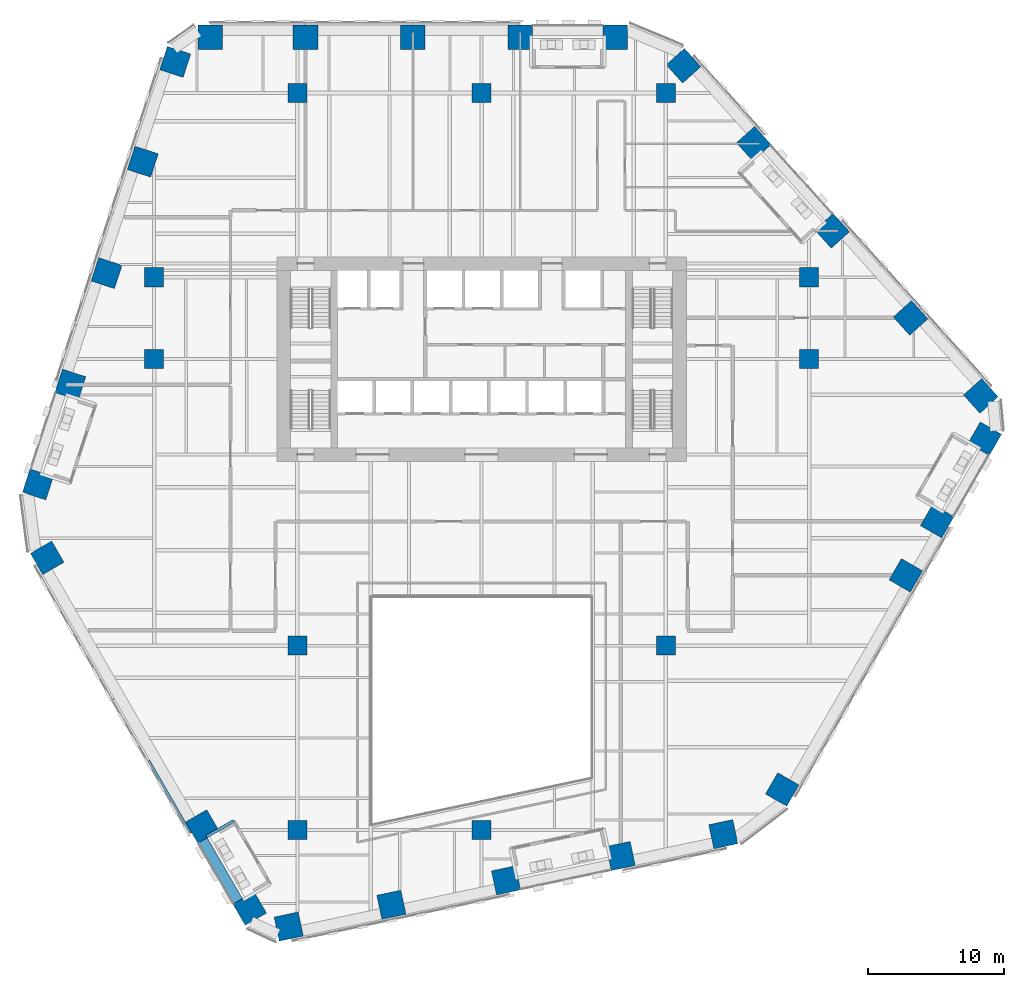
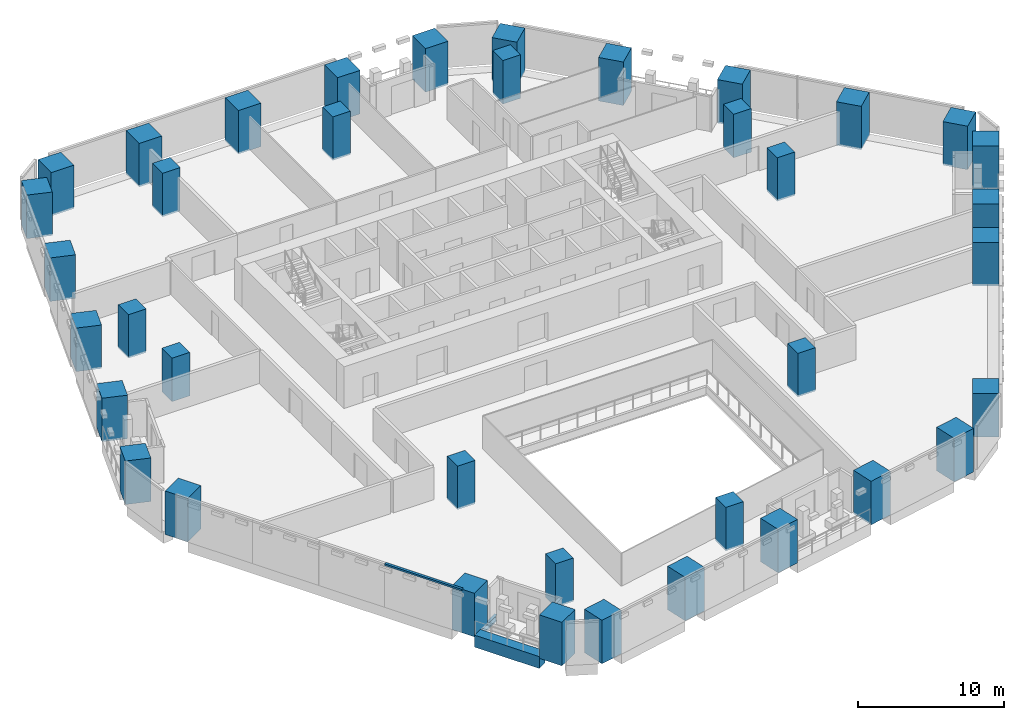
# One storey, part 1 of 31: 38 columns, 2 beams, 1 member, 1 element without a shape of its own.
"""IFC4 building model written with IfcOpenShell, lengths in metres."""

from ifc_helpers import new_model, si_unit, direction, frame, origin, origin_2d, place, context, subcontext, project, spatial, rectangle, i_section, extrude, material, layer, layer_set, material_profile, profile_set, type_object, element, aggregate, save


model = new_model("IFC4")

# Units and contexts
model_context = context("Model", 3, precision=1e-05, world=origin(), true_north=direction((0.0, 1.0)))
body_context = subcontext(model_context, "Body", "Model", "MODEL_VIEW")
ifc_project = project(units=[si_unit("LENGTHUNIT", "METRE"), si_unit("AREAUNIT", "SQUARE_METRE"), si_unit("VOLUMEUNIT", "CUBIC_METRE"), si_unit("PLANEANGLEUNIT", "RADIAN"), si_unit("MASSUNIT", "GRAM", prefix="KILO")], contexts=[model_context])

# Site, building, storey
site_placement = place(None, origin())
site = spatial("IfcSite", under=ifc_project, at=site_placement, CompositionType="ELEMENT")
building_placement = place(site_placement, origin())
building = spatial("IfcBuilding", under=site, at=building_placement, Name="Isthmus Gate Tower", CompositionType="ELEMENT")
storey_placement = place(building_placement, frame((0.0, 0.0, 39.64990234375)))
storey = spatial("IfcBuildingStorey", under=building, at=storey_placement, Name="L07", CompositionType="ELEMENT", Elevation=39.64990234375)

# Columns
ifc_material_1 = material(Name="Concrete f'c 70 MPa", Category="concrete")
ifc_material_profile_1 = material_profile(ifc_material_1, rectangle(XDim=1.39990234375, YDim=1.39990234375, at=origin_2d()), Name="RC 1400X1400")
ifc_profile_set_1 = profile_set([ifc_material_profile_1], Name="Concrete f'c 70 MPa")
column_type_1 = type_object("IfcColumnType", Name="RC INTERIOR COLUMN 1400 X 1400", PredefinedType="COLUMN", material=ifc_profile_set_1)
for number, where, z_axis, x_axis, name in (
    (1, (-24.0, 7.5, -0.14990234375), (0.0, 0.0, 1.0), (1.0, 0.0, 0.0), "str-icol-L07-ICA3"),
    (2, (-24.0, 13.5, -0.14990234375), (0.0, 0.0, 1.0), (1.0, 0.0, 0.0), "str-icol-L07-ICA4"),
    (3, (-13.5, -27.0, -0.14990234375), (0.0, 0.0, 1.0), (1.0, 0.0, 0.0), "str-icol-L07-ICB1"),
    (4, (-13.5, -13.5, -0.14990234375), (0.0, 0.0, 1.0), (1.0, 0.0, 0.0), "str-icol-L07-ICB2"),
    (5, (-13.5, 27.0, -0.14990234375), (0.0, 0.0, 1.0), (1.0, 0.0, 0.0), "str-icol-L07-ICB5"),
    (6, (0.0, -27.0, -0.14990234375), (0.0, 0.0, 1.0), (1.0, 0.0, 0.0), "str-icol-L07-ICC1"),
    (7, (0.0, 27.0, -0.14990234375), (0.0, 0.0, 1.0), (1.0, 0.0, 0.0), "str-icol-L07-ICC5"),
    (8, (13.5, -13.5, -0.14990234375), (0.0, 0.0, 1.0), (1.0, 0.0, 0.0), "str-icol-L07-ICD2"),
    (9, (13.5, 27.0, -0.14990234375), (0.0, 0.0, 1.0), (1.0, 0.0, 0.0), "str-icol-L07-ICD5"),
    (10, (24.0, 7.5, -0.14990234375), (0.0, 0.0, 1.0), (1.0, 0.0, 0.0), "str-icol-L07-ICE3"),
    (11, (24.0, 13.5, -0.14990234375), (0.0, 0.0, 1.0), (1.0, 0.0, 0.0), "str-icol-L07-ICE4"),
):
    element("IfcColumn", number, at=place(storey_placement, frame(where, z_axis=z_axis, x_axis=x_axis)), inside=storey, type_object=column_type_1, Name=name, PredefinedType="COLUMN", context=body_context, shape_type="SweptSolid", body=[
        extrude(rectangle(XDim=1.39990234375, YDim=1.39990234375, at=origin_2d()), origin(), (0.0, 0.0, 1.0), 3.64990234375),
    ])
ifc_material_2 = material(Name="Concrete f'c 70 MPa", Category="concrete")
ifc_material_profile_2 = material_profile(ifc_material_2, rectangle(XDim=1.800048828125, YDim=1.800048828125, at=origin_2d()), Name="RC 1800X1800")
ifc_profile_set_2 = profile_set([ifc_material_profile_2], Name="Concrete f'c 70 MPa")
column_type_2 = type_object("IfcColumnType", Name="RC TUBE COLUMN 1800 X 1800", PredefinedType="COLUMN", material=ifc_profile_set_2)
for number, where, z_axis, x_axis, name in (
    (12, (9.8017578125, 31.10009765625, -0.14990234375), (0.0, 0.0, 1.0), (-1.0, 0.0, 0.0), "str-tcol-L07-T1N0"),
    (13, (2.832275390625, 31.10009765625, -0.14990234375), (0.0, 0.0, 1.0), (-1.0, 0.0, 0.0), "str-tcol-L07-T1N1"),
    (14, (-5.037109375, 31.10009765625, -0.14990234375), (0.0, 0.0, 1.0), (-1.0, 0.0, 0.0), "str-tcol-L07-T1N2"),
    (15, (-12.90673828125, 31.10009765625, -0.14990234375), (0.0, 0.0, 1.0), (-1.0, 0.0, 0.0), "str-tcol-L07-T1N3"),
    (16, (-19.876220703125, 31.10009765625, -0.14990234375), (0.0, 0.0, 1.0), (-1.0, 0.0, 0.0), "str-tcol-L07-T1N4"),
    (17, (-22.451171875, 29.281005859375, -0.14990234375), (0.0, 0.0, 1.0), (-0.309016994375, -0.951056516295, 0.0), "str-tcol-L07-T1NW0"),
    (18, (-24.827392578125, 21.9677734375, -0.14990234375), (0.0, 0.0, 1.0), (-0.309016994375, -0.951056516295, 0.0), "str-tcol-L07-T1NW1"),
    (19, (-27.481689453125, 13.798828125, -0.14990234375), (0.0, 0.0, 1.0), (-0.309016994375, -0.951056516295, 0.0), "str-tcol-L07-T1NW2"),
    (20, (-30.135986328125, 5.6298828125, -0.14990234375), (0.0, 0.0, 1.0), (-0.309016994375, -0.951056516295, 0.0), "str-tcol-L07-T1NW3"),
    (21, (-32.511962890625, -1.68310546875, -0.14990234375), (0.0, 0.0, 1.0), (-0.309016994375, -0.951056516295, 0.0), "str-tcol-L07-T1NW4"),
    (22, (-31.834228515625, -7.061279296875, -0.14990234375), (0.0, 0.0, 1.0), (0.5, -0.866025403784, 0.0), "str-tcol-L07-T1SW0"),
    (23, (-20.467041015625, -26.75, -0.14990234375), (0.0, 0.0, 1.0), (0.5, -0.866025403784, 0.0), "str-tcol-L07-T1SW2"),
    (24, (-16.995361328125, -32.763427734375, -0.14990234375), (0.0, 0.0, 1.0), (0.5, -0.866025403784, 0.0), "str-tcol-L07-T1SW3"),
    (25, (-14.13232421875, -34.083740234375, -0.14990234375), (0.0, 0.0, 1.0), (0.978147600734, 0.207911690818, 0.0), "str-tcol-L07-T1S0"),
    (26, (-6.611083984375, -32.485107421875, -0.14990234375), (0.0, 0.0, 1.0), (0.978147600734, 0.207911690818, 0.0), "str-tcol-L07-T1S1"),
    (27, (1.79052734375, -30.69921875, -0.14990234375), (0.0, 0.0, 1.0), (0.978147600734, 0.207911690818, 0.0), "str-tcol-L07-T1S2"),
    (28, (10.192138671875, -28.91357421875, -0.14990234375), (0.0, 0.0, 1.0), (0.978147600734, 0.207911690818, 0.0), "str-tcol-L07-T1S3"),
    (29, (17.713623046875, -27.314697265625, -0.14990234375), (0.0, 0.0, 1.0), (0.978147600734, 0.207911690818, 0.0), "str-tcol-L07-T1S4"),
    (30, (22.032470703125, -24.03857421875, -0.14990234375), (0.0, 0.0, 1.0), (0.5, 0.866025403784, 0.0), "str-tcol-L07-T1SE0"),
    (31, (31.09033203125, -8.35009765625, -0.14990234375), (0.0, 0.0, 1.0), (0.5, 0.866025403784, 0.0), "str-tcol-L07-T1SE1"),
    (32, (33.38671875, -4.37255859375, -0.14990234375), (0.0, 0.0, 1.0), (0.5, 0.866025403784, 0.0), "str-tcol-L07-T1SE2"),
    (33, (36.87158203125, 1.663330078125, -0.14990234375), (0.0, 0.0, 1.0), (0.5, 0.866025403784, 0.0), "str-tcol-L07-T1SE3"),
    (34, (36.583740234375, 4.802978515625, -0.14990234375), (0.0, 0.0, 1.0), (-0.669130606359, 0.743144825477, 0.0), "str-tcol-L07-T1NE0"),
    (35, (31.4384765625, 10.517333984375, -0.14990234375), (0.0, 0.0, 1.0), (-0.669130606359, 0.743144825477, 0.0), "str-tcol-L07-T1NE1"),
    (36, (25.691162109375, 16.900390625, -0.14990234375), (0.0, 0.0, 1.0), (-0.669130606359, 0.743144825477, 0.0), "str-tcol-L07-T1NE2"),
    (37, (19.943603515625, 23.283447265625, -0.14990234375), (0.0, 0.0, 1.0), (-0.669130606359, 0.743144825477, 0.0), "str-tcol-L07-T1NE3"),
    (38, (14.798583984375, 28.997802734375, -0.14990234375), (0.0, 0.0, 1.0), (-0.669130606359, 0.743144825477, 0.0), "str-tcol-L07-T1NE4"),
):
    element("IfcColumn", number, at=place(storey_placement, frame(where, z_axis=z_axis, x_axis=x_axis)), inside=storey, type_object=column_type_2, Name=name, PredefinedType="COLUMN", context=body_context, shape_type="SweptSolid", body=[
        extrude(rectangle(XDim=1.800048828125, YDim=1.800048828125, at=origin_2d()), origin(), (0.0, 0.0, 1.0), 3.64990234375),
    ])

# Curtain wall, member
ifc_material_3 = material(Name="Aluminium, pale champagne anodised", Category="aluminium")
ifc_layer = layer(ifc_material_3, 0.199951171875)
ifc_layer_set = layer_set([ifc_layer], Name="CW-1 UNITISED CURTAIN WALL 200 DEEP")
curtain_wall_type = type_object("IfcCurtainWallType", Name="CW-1 UNITISED CURTAIN WALL 200 DEEP", PredefinedType="NOTDEFINED", material=ifc_layer_set)
curtain_wall_placement = place(storey_placement, origin())
curtain_wall = element("IfcCurtainWall", 39, at=curtain_wall_placement, inside=storey, type_object=curtain_wall_type, Name="CW-1 SW L07", PredefinedType="NOTDEFINED")
ifc_material_4 = material(Name="Aluminium, pale champagne anodised", Category="aluminium")
ifc_material_profile_3 = material_profile(ifc_material_4, rectangle(XDim=0.199951171875, YDim=0.14990234375, at=origin_2d()), Name="200x150")
ifc_profile_set_3 = profile_set([ifc_material_profile_3], Name="Aluminium, pale champagne anodised")
member_type = type_object("IfcMemberType", Name="CW-1 TRANSOM 200 X 150", PredefinedType="USERDEFINED", material=ifc_profile_set_3)
member_placement = place(storey_placement, frame((-24.39990234375, -21.938232421875, 3.5751953125), z_axis=(0.500017618927, -0.866015231253, 0.0), x_axis=(0.866015231253, 0.500017618927, 0.0)))
member = element("IfcMember", 40, at=member_placement, type_object=member_type, Name="CW-1 transom", ObjectType="TRANSOM", PredefinedType="USERDEFINED", context=body_context, shape_type="SweptSolid", body=[
    extrude(rectangle(XDim=0.199951171875, YDim=0.14990234375, at=origin_2d()), origin(), (0.0, 0.0, 1.0), 6.133544921875),
])
aggregate(curtain_wall, [member])

# Beams
ifc_material_5 = material(Name="Concrete f'c 70 MPa", Category="concrete")
ifc_material_profile_4 = material_profile(ifc_material_5, rectangle(XDim=0.800048828125, YDim=1.0, at=origin_2d()), Name="RC 800X1000")
ifc_profile_set_4 = profile_set([ifc_material_profile_4], Name="Concrete f'c 70 MPa")
beam_type_1 = type_object("IfcBeamType", Name="RC SPANDREL 800 X 1000", PredefinedType="SPANDREL", material=ifc_profile_set_4)
beam_1_placement = place(storey_placement, frame((-17.878173828125, -32.23388671875, -0.5), z_axis=(-0.500044296292, 0.865999827798, 0.0), x_axis=(-0.865999827798, -0.500044296292, 0.0)))
element("IfcBeam", 41, at=beam_1_placement, inside=storey, type_object=beam_type_1, Name="str-spandrel-L07-15", PredefinedType="SPANDREL", context=body_context, shape_type="SweptSolid", body=[
    extrude(rectangle(XDim=0.800048828125, YDim=1.0, at=origin_2d()), origin(), (0.0, 0.0, 1.0), 5.1435546875),
])
ifc_material_6 = material(Name="Structural steel ASTM A992 Gr 50", Category="steel")
ifc_material_profile_5 = material_profile(ifc_material_6, i_section(OverallWidth=0.20947265625, OverallDepth=0.533447265625, WebThickness=0.009521484375, FlangeThickness=0.015869140625, at=origin_2d()), Name="W21X62")
ifc_profile_set_5 = profile_set([ifc_material_profile_5], Name="Structural steel ASTM A992 Gr 50")
beam_type_2 = type_object("IfcBeamType", Name="STEEL TRIMMER W21X62", PredefinedType="BEAM", material=ifc_profile_set_5)
beam_2_placement = place(storey_placement, frame((-20.156005859375, -27.48876953125, -0.41650390625), z_axis=(0.866017993231, 0.500012835235, 0.0), x_axis=(-0.500012835235, 0.866017993231, 0.0)))
element("IfcBeam", 42, at=beam_2_placement, inside=storey, type_object=beam_type_2, Name="str-loggiatrim-L07-03-A", PredefinedType="BEAM", context=body_context, shape_type="SweptSolid", body=[
    extrude(i_section(OverallWidth=0.20947265625, OverallDepth=0.533447265625, WebThickness=0.009521484375, FlangeThickness=0.015869140625, at=origin_2d()), origin(), (0.0, 0.0, 1.0), 2.3046875),
])

save(model, "model.ifc")
